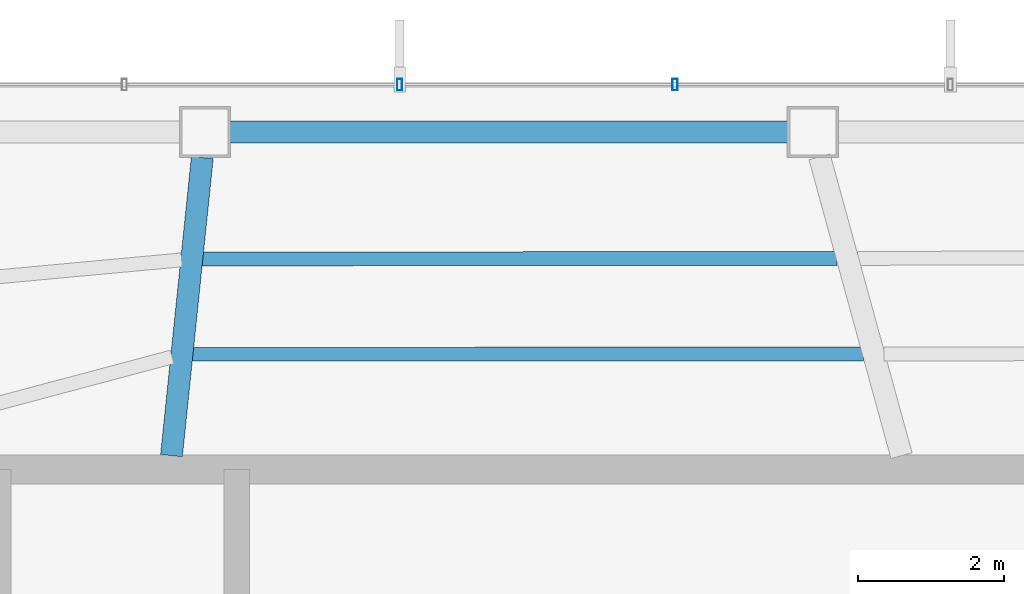
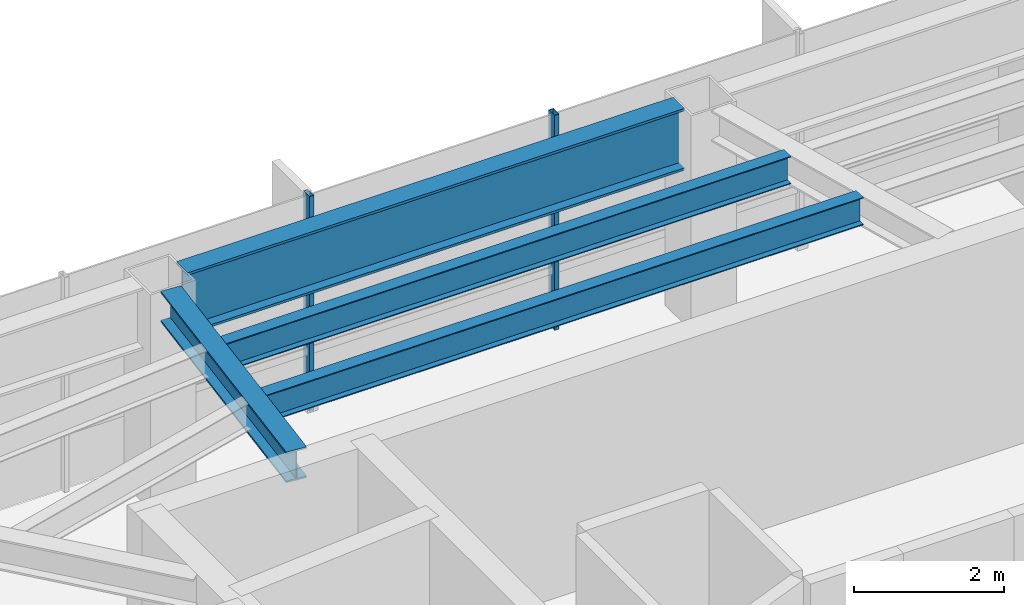
# One storey, part 13 of 27: 4 beams, 2 members, 1 element without a shape of its own.
"""IFC4 building model written with IfcOpenShell, lengths in metres."""

import ifcopenshell
import ifcopenshell.guid

model = None  # the IFC model being written
_history = None  # IfcOwnerHistory: only IFC2X3 demands one
_inside = {}  # id of a spatial element -> (the spatial element, [elements in it])
_under = {}  # id of a project, library or spatial element -> (it, [spatial elements below it])
_declared = {}  # id of a project -> (the project, [libraries it declares])
_typed = {}  # id of a type object -> (the type object, [elements of that type])
_made_of = {}  # id of a material, layer set ... -> (it, [elements and type objects made of it])


def new_model(schema):
    """Start an empty IFC model of exactly this schema.

    Asked for "IFC4X3", IfcOpenShell would pick the latest addendum, in which some entities
    have other attributes; the version numbers below select the first issue.
    IFC2X3 requires an IfcOwnerHistory on every rooted entity: one is made here for all.
    """
    global model, _history
    if schema == "IFC4X3":
        model = ifcopenshell.file(schema_version=(4, 3, 0, 0))
    else:
        model = ifcopenshell.file(schema=schema)
    _inside.clear()
    _under.clear()
    _declared.clear()
    _typed.clear()
    _made_of.clear()
    _history = None
    if model.schema == "IFC2X3":
        org = make("IfcOrganization", Name="unknown")
        user = make(
            "IfcPersonAndOrganization",
            ThePerson=make("IfcPerson", FamilyName="unknown"),
            TheOrganization=org,
        )
        app = make(
            "IfcApplication",
            ApplicationDeveloper=org,
            Version="unknown",
            ApplicationFullName="unknown",
            ApplicationIdentifier="unknown",
        )
        _history = make(
            "IfcOwnerHistory",
            OwningUser=user,
            OwningApplication=app,
            ChangeAction="ADDED",
            CreationDate=0,
        )
    return model


def make(cls, **values):
    """One entity of the class cls with the attributes given. An attribute that is None is left unset."""
    return model.create_entity(
        cls, **{name: value for name, value in values.items() if value is not None}
    )


def rooted(cls, **values):
    """An entity with a GlobalId (a new one), such as an element, a storey or a relation."""
    return make(cls, GlobalId=ifcopenshell.guid.new(), OwnerHistory=_history, **values)


def si_unit(unit_type, name, prefix=None):
    """IfcSIUnit, for example si_unit("LENGTHUNIT", "METRE", prefix="MILLI")."""
    return make("IfcSIUnit", UnitType=unit_type, Prefix=prefix, Name=name)


def assignment(units):
    """IfcUnitAssignment: the units of a project."""
    return None if units is None else make("IfcUnitAssignment", Units=units)


def point(xyz):
    """IfcCartesianPoint."""
    return None if xyz is None else make("IfcCartesianPoint", Coordinates=xyz)


def direction(xyz):
    """IfcDirection."""
    return None if xyz is None else make("IfcDirection", DirectionRatios=xyz)


def frame(location, z_axis=None, x_axis=None):
    """IfcAxis2Placement3D, a coordinate frame: its origin and axes. An axis left out is left unset."""
    return make(
        "IfcAxis2Placement3D",
        Location=point(location),
        Axis=direction(z_axis),
        RefDirection=direction(x_axis),
    )


def frame_2d(location, x_axis=None):
    """IfcAxis2Placement2D, a coordinate frame in the plane: its origin and x axis."""
    return make(
        "IfcAxis2Placement2D", Location=point(location), RefDirection=direction(x_axis)
    )


def origin():
    """The frame at (0, 0, 0) with its axes left unset."""
    return frame((0.0, 0.0, 0.0))


def origin_2d():
    """The frame at (0, 0) in the plane with its x axis left unset."""
    return frame_2d((0.0, 0.0))


def place(relative_to, where):
    """IfcLocalPlacement: puts the frame where relative to a parent placement (None: the world)."""
    return make(
        "IfcLocalPlacement", PlacementRelTo=relative_to, RelativePlacement=where
    )


def context(
    kind, dimensions, precision=None, world=None, true_north=None, identifier=None
):
    """IfcGeometricRepresentationContext, for example the 3D "Model" context."""
    return make(
        "IfcGeometricRepresentationContext",
        ContextIdentifier=identifier,
        ContextType=kind,
        CoordinateSpaceDimension=dimensions,
        Precision=precision,
        WorldCoordinateSystem=world,
        TrueNorth=true_north,
    )


def subcontext(parent, identifier, kind, view, scale=None):
    """IfcGeometricRepresentationSubContext, for example "Body" below "Model"."""
    return make(
        "IfcGeometricRepresentationSubContext",
        ContextIdentifier=identifier,
        ContextType=kind,
        ParentContext=parent,
        TargetScale=scale,
        TargetView=view,
    )


def project(units=None, contexts=None):
    """IfcProject with its units and contexts."""
    return rooted(
        "IfcProject",
        Name="project",
        RepresentationContexts=contexts,
        UnitsInContext=assignment(units),
    )


def spatial(cls, under=None, at=None, **own):
    """A site, building, storey or space (cls), placed at a placement, below another one or the project."""
    s = rooted(cls, ObjectPlacement=at, **own)
    if under is not None:
        _under.setdefault(under.id(), (under, []))[1].append(s)
    return s


def profile(cls, at=None, kind="AREA", **sizes):
    """A parametric profile (cls). Its sizes go by their IFC names, for example OverallWidth=200.0."""
    return make(cls, ProfileType=kind, Position=at, **sizes)


def hollow_rectangle(**sizes):
    """IfcRectangleHollowProfileDef."""
    return profile("IfcRectangleHollowProfileDef", **sizes)


def i_section(**sizes):
    """IfcIShapeProfileDef."""
    return profile("IfcIShapeProfileDef", **sizes)


def extrude(swept, where, along, depth):
    """IfcExtrudedAreaSolid: the profile swept, set in the frame where, extruded along a direction by depth."""
    return make(
        "IfcExtrudedAreaSolid",
        SweptArea=swept,
        Position=where,
        ExtrudedDirection=direction(along),
        Depth=depth,
    )


def shape(context_of_items, identifier, shape_type, items):
    """IfcShapeRepresentation: the items that make up one representation, for example the "Body"."""
    return make(
        "IfcShapeRepresentation",
        ContextOfItems=context_of_items,
        RepresentationIdentifier=identifier,
        RepresentationType=shape_type,
        Items=items,
    )


def material(Name=None, Category=None):
    """IfcMaterial."""
    return make("IfcMaterial", Name=Name, Category=Category)


def layer(
    of_material, thickness, ventilated=None, Name=None, Category=None, Priority=None
):
    """IfcMaterialLayer: one layer of a wall or slab, of a material (None: an air gap)."""
    return make(
        "IfcMaterialLayer",
        Material=of_material,
        LayerThickness=thickness,
        IsVentilated=ventilated,
        Name=Name,
        Category=Category,
        Priority=Priority,
    )


def layer_set(layers, Name=None):
    """IfcMaterialLayerSet."""
    return make("IfcMaterialLayerSet", MaterialLayers=layers, LayerSetName=Name)


def material_profile(
    of_material, cross_section, Name=None, Category=None, Priority=None
):
    """IfcMaterialProfile: a cross section and its material."""
    return make(
        "IfcMaterialProfile",
        Name=Name,
        Material=of_material,
        Profile=cross_section,
        Priority=Priority,
        Category=Category,
    )


def profile_set(profiles, Name=None, composite=None):
    """IfcMaterialProfileSet."""
    return make(
        "IfcMaterialProfileSet",
        Name=Name,
        MaterialProfiles=profiles,
        CompositeProfile=composite,
    )


def made_of(thing, what):
    """Note that an element or type object is made of a material, layer set ...; save() writes the relation."""
    if what is not None:
        _made_of.setdefault(what.id(), (what, []))[1].append(thing)
    return thing


def type_object(cls, material=None, **own):
    """A type object (cls), such as IfcWallType, which elements share."""
    return made_of(rooted(cls, **own), material)


def element(
    cls,
    number,
    at=None,
    inside=None,
    cuts=None,
    type_object=None,
    material=None,
    context=None,
    identifier="Body",
    shape_type=None,
    held_by="IfcProductDefinitionShape",
    body=None,
    shapes=None,
    **own,
):
    """One element of the class cls, such as IfcWall. Its Tag is "e" and its number.

    at: its placement. inside: the storey or other place that contains it. cuts: it is an
    opening in that element (IfcRelVoidsElement). A single representation is given by context,
    identifier, shape_type and body (its items); several are given by shapes. held_by: the class
    of the entity that holds the representations. save() writes the other relations.
    """
    e = rooted(cls, Tag="e%d" % number, ObjectPlacement=at, **own)
    if body is not None:
        shapes = [shape(context, identifier, shape_type, body)]
    if shapes is not None:
        e.Representation = make(held_by, Representations=shapes)
    if inside is not None:
        _inside.setdefault(inside.id(), (inside, []))[1].append(e)
    if cuts is not None:
        rooted(
            "IfcRelVoidsElement", RelatingBuildingElement=cuts, RelatedOpeningElement=e
        )
    if type_object is not None:
        _typed.setdefault(type_object.id(), (type_object, []))[1].append(e)
    return made_of(e, material)


def aggregate(whole, parts):
    """IfcRelAggregates: a whole, such as a stair, and the parts it consists of."""
    return rooted("IfcRelAggregates", RelatingObject=whole, RelatedObjects=parts)


def save(model, path):
    """Write the relations noted so far, then the file.

    IfcRelAggregates (storeys below a building ...), IfcRelContainedInSpatialStructure (elements
    in a storey), IfcRelDefinesByType, IfcRelAssociatesMaterial and IfcRelDeclares: one each for
    every whole, place, type object, material and project.
    """
    for whole, parts in _under.values():
        aggregate(whole, parts)
    for where, things in _inside.values():
        rooted(
            "IfcRelContainedInSpatialStructure",
            RelatedElements=things,
            RelatingStructure=where,
        )
    for kind, things in _typed.values():
        rooted("IfcRelDefinesByType", RelatedObjects=things, RelatingType=kind)
    for what, things in _made_of.values():
        rooted("IfcRelAssociatesMaterial", RelatedObjects=things, RelatingMaterial=what)
    for by, libraries in _declared.values():
        rooted("IfcRelDeclares", RelatingContext=by, RelatedDefinitions=libraries)
    model.write(path)


model = new_model("IFC4")

# Units and contexts
model_context = context("Model", 3, precision=1e-05, world=origin(), true_north=direction((0.0, 1.0)))
body_context = subcontext(model_context, "Body", "Model", "MODEL_VIEW")
ifc_project = project(units=[si_unit("LENGTHUNIT", "METRE"), si_unit("AREAUNIT", "SQUARE_METRE"), si_unit("VOLUMEUNIT", "CUBIC_METRE"), si_unit("PLANEANGLEUNIT", "RADIAN"), si_unit("MASSUNIT", "GRAM", prefix="KILO")], contexts=[model_context])

# Site, building, storey
site_placement = place(None, origin())
site = spatial("IfcSite", under=ifc_project, at=site_placement, CompositionType="ELEMENT")
building_placement = place(site_placement, origin())
building = spatial("IfcBuilding", under=site, at=building_placement, Name="Zarrinselat Tower", CompositionType="ELEMENT")
storey_placement = place(building_placement, frame((0.0, 0.0, 179.52001953125)))
storey = spatial("IfcBuildingStorey", under=building, at=storey_placement, Name="L44", CompositionType="ELEMENT", Elevation=179.52001953125)

# Beams
ifc_material_1 = material(Name="Steel S355J2", Category="steel")
ifc_material_profile_1 = material_profile(ifc_material_1, i_section(OverallWidth=0.300048828125, OverallDepth=0.5, WebThickness=0.014404296875, FlangeThickness=0.028076171875, at=origin_2d()), Name="HEB 500")
ifc_profile_set_1 = profile_set([ifc_material_profile_1], Name="Steel S355J2")
beam_type_1 = type_object("IfcBeamType", Name="BM-HEB500", PredefinedType="BEAM", material=ifc_profile_set_1)
beam_1_placement = place(storey_placement, frame((31.0, 43.639892578125, 3.25), z_axis=(0.102913358087, 0.994690324034, 0.0), x_axis=(-0.994690324034, 0.102913358087, 0.0)))
element("IfcBeam", 1, at=beam_1_placement, inside=storey, type_object=beam_type_1, Name="L44 Radial Primary Girder RG04", PredefinedType="BEAM", context=body_context, shape_type="SweptSolid", body=[
    extrude(i_section(OverallWidth=0.300048828125, OverallDepth=0.5, WebThickness=0.014404296875, FlangeThickness=0.028076171875, at=origin_2d()), origin(), (0.0, 0.0, 1.0), 4.10400390625),
])
ifc_material_2 = material(Name="Steel S460M", Category="steel")
ifc_material_profile_2 = material_profile(ifc_material_2, i_section(OverallWidth=0.302001953125, OverallDepth=1.008056640625, WebThickness=0.02099609375, FlangeThickness=0.0400390625, at=origin_2d()), Name="HEM 1000")
ifc_profile_set_2 = profile_set([ifc_material_profile_2], Name="Steel S460M")
beam_type_2 = type_object("IfcBeamType", Name="BM-HEM1000", PredefinedType="BEAM", material=ifc_profile_set_2)
beam_2_placement = place(storey_placement, frame((31.796630859375, 48.072265625, 2.99609375), z_axis=(1.0, 0.0, 0.0), x_axis=(0.0, 1.0, 0.0)))
element("IfcBeam", 2, at=beam_2_placement, inside=storey, type_object=beam_type_2, Name="L44 Perimeter Spandrel Girder SP03", PredefinedType="BEAM", context=body_context, shape_type="SweptSolid", body=[
    extrude(i_section(OverallWidth=0.302001953125, OverallDepth=1.008056640625, WebThickness=0.02099609375, FlangeThickness=0.0400390625, at=origin_2d()), origin(), (0.0, 0.0, 1.0), 7.649658203125),
])
ifc_material_3 = material(Name="Steel S355J2", Category="steel")
ifc_material_profile_3 = material_profile(ifc_material_3, i_section(OverallWidth=0.18994140625, OverallDepth=0.449951171875, WebThickness=0.009521484375, FlangeThickness=0.0146484375, at=origin_2d()), Name="IPE 450")
ifc_profile_set_3 = profile_set([ifc_material_profile_3], Name="Steel S355J2")
beam_type_3 = type_object("IfcBeamType", Name="BM-IPE450", PredefinedType="JOIST", material=ifc_profile_set_3)
beam_3_placement = place(storey_placement, frame((31.418701171875, 46.334228515625, 3.27490234375), z_axis=(0.999999691338, 0.000785700013, 0.0), x_axis=(-0.000785700013, 0.999999691338, 0.0)))
element("IfcBeam", 3, at=beam_3_placement, inside=storey, type_object=beam_type_3, Name="L44 Composite Floor Joist 8-1", PredefinedType="JOIST", context=body_context, shape_type="SweptSolid", body=[
    extrude(i_section(OverallWidth=0.18994140625, OverallDepth=0.449951171875, WebThickness=0.009521484375, FlangeThickness=0.0146484375, at=origin_2d()), origin(), (0.0, 0.0, 1.0), 8.700439453125),
])
beam_4_placement = place(storey_placement, frame((31.28369140625, 45.028076171875, 3.27490234375), z_axis=(0.999999930909, 0.000371727445, 0.0), x_axis=(-0.000371727445, 0.999999930909, 0.0)))
element("IfcBeam", 4, at=beam_4_placement, inside=storey, type_object=beam_type_3, Name="L44 Composite Floor Joist 8-2", PredefinedType="JOIST", context=body_context, shape_type="SweptSolid", body=[
    extrude(i_section(OverallWidth=0.18994140625, OverallDepth=0.449951171875, WebThickness=0.009521484375, FlangeThickness=0.0146484375, at=origin_2d()), origin(), (0.0, 0.0, 1.0), 9.19482421875),
])

# Curtain wall, members
ifc_material_4 = material(Name="Extruded Aluminium Alloy EN AW-6063 T6", Category="aluminium")
ifc_layer = layer(ifc_material_4, 0.175048828125)
ifc_layer_set = layer_set([ifc_layer], Name="Extruded Aluminium Alloy EN AW-6063 T6")
curtain_wall_type = type_object("IfcCurtainWallType", Name="CWS-HTL", PredefinedType="NOTDEFINED", material=ifc_layer_set)
curtain_wall_placement = place(storey_placement, origin())
curtain_wall = element("IfcCurtainWall", 5, at=curtain_wall_placement, inside=storey, type_object=curtain_wall_type, Name="L44 Unitised Curtain Wall CW-L44-E01", PredefinedType="NOTDEFINED")
ifc_material_5 = material(Name="Extruded Aluminium Alloy EN AW-6063 T6", Category="aluminium")
ifc_material_profile_4 = material_profile(ifc_material_5, hollow_rectangle(XDim=0.070068359375, YDim=0.159912109375, WallThickness=0.00390625, at=origin_2d()), Name="RHS 160x70x4")
ifc_profile_set_4 = profile_set([ifc_material_profile_4], Name="Extruded Aluminium Alloy EN AW-6063 T6")
member_type = type_object("IfcMemberType", Name="MEM-CW-MUL2", PredefinedType="MULLION", material=ifc_profile_set_4)
member_1_placement = place(storey_placement, frame((37.898193359375, 48.72216796875, 0.0), z_axis=(0.0, 0.0, 1.0), x_axis=(-1.0, 0.0, 0.0)))
member_1 = element("IfcMember", 6, at=member_1_placement, type_object=member_type, Name="CW-L44-E01 Mullion 6", PredefinedType="MULLION", context=body_context, shape_type="SweptSolid", body=[
    extrude(hollow_rectangle(XDim=0.070068359375, YDim=0.159912109375, WallThickness=0.00390625, at=origin_2d()), origin(), (0.0, 0.0, 1.0), 3.5),
])
member_2_placement = place(storey_placement, frame((34.126220703125, 48.72216796875, 0.0), z_axis=(0.0, 0.0, 1.0), x_axis=(-1.0, 0.0, 0.0)))
member_2 = element("IfcMember", 7, at=member_2_placement, type_object=member_type, Name="CW-L44-E01 Mullion 7", PredefinedType="MULLION", context=body_context, shape_type="SweptSolid", body=[
    extrude(hollow_rectangle(XDim=0.070068359375, YDim=0.159912109375, WallThickness=0.00390625, at=origin_2d()), origin(), (0.0, 0.0, 1.0), 3.5),
])
aggregate(curtain_wall, [member_1, member_2])

save(model, "model.ifc")
